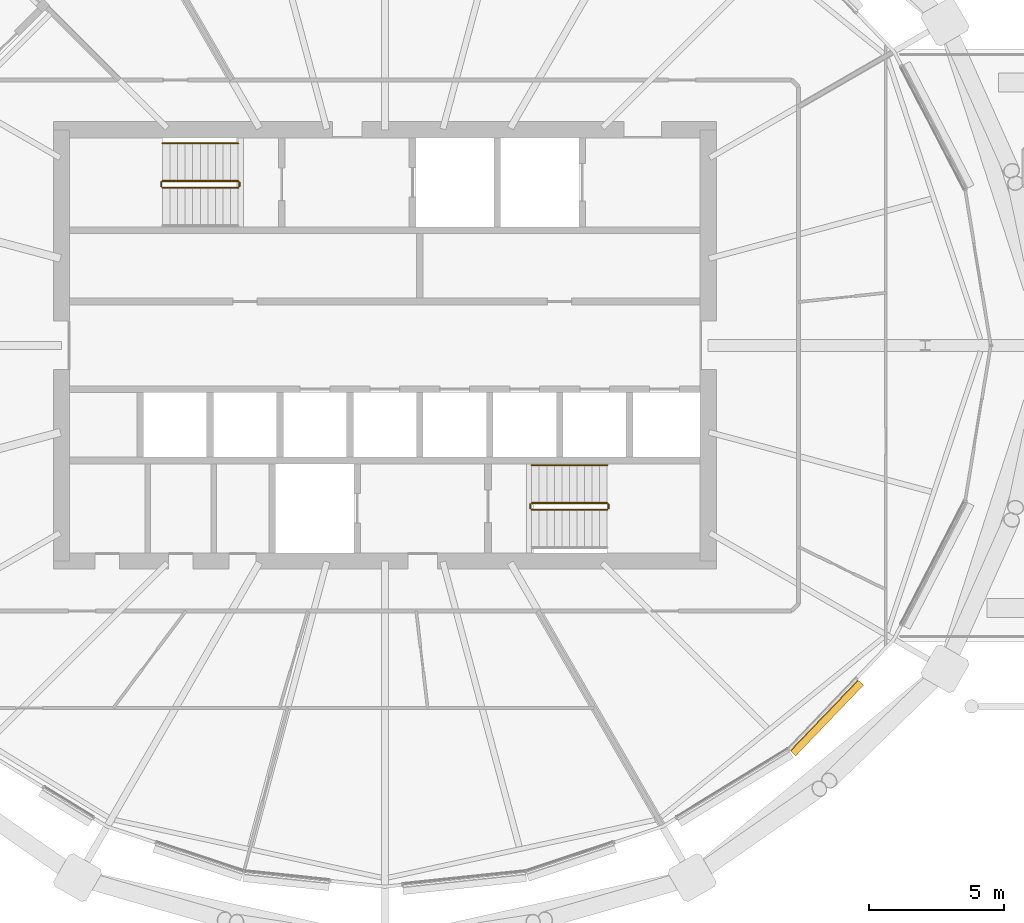
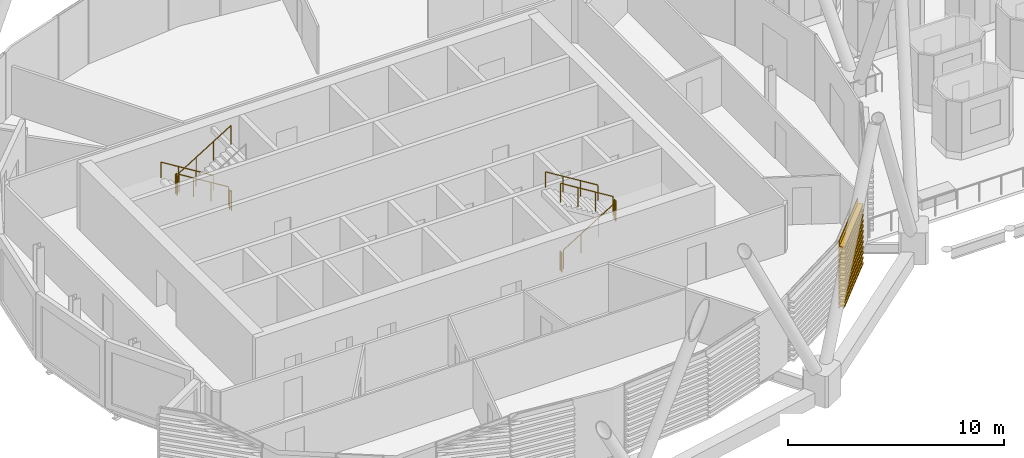
# One storey, part 33 of 38: 10 railings, 1 covering.
"""IFC4 building model written with IfcOpenShell, lengths in metres."""

from ifc_helpers import new_model, si_unit, direction, frame, origin, origin_2d, place, context, subcontext, project, spatial, polyline, circle, outline, extrude, material, material_profile, profile_set, type_object, element, save


model = new_model("IFC4")

# Units and contexts
model_context = context("Model", 3, precision=1e-05, world=origin(), true_north=direction((0.0, 1.0)))
body_context = subcontext(model_context, "Body", "Model", "MODEL_VIEW")
ifc_project = project(units=[si_unit("LENGTHUNIT", "METRE"), si_unit("AREAUNIT", "SQUARE_METRE"), si_unit("VOLUMEUNIT", "CUBIC_METRE"), si_unit("PLANEANGLEUNIT", "RADIAN"), si_unit("MASSUNIT", "GRAM", prefix="KILO")], contexts=[model_context])

# Site, building, storey
site_placement = place(None, origin())
site = spatial("IfcSite", under=ifc_project, at=site_placement, CompositionType="ELEMENT")
building_placement = place(site_placement, origin())
building = spatial("IfcBuilding", under=site, at=building_placement, Name="Rimbun Link Towers", CompositionType="ELEMENT")
storey_placement = place(building_placement, frame((0.0, 0.0, 158.89990234375)))
storey = spatial("IfcBuildingStorey", under=building, at=storey_placement, Name="L38", CompositionType="ELEMENT", Elevation=158.89990234375)

# Railings
ifc_material_1 = material(Name="Stainless steel grade 316", Category="steel")
railing_type_1 = type_object("IfcRailingType", Name="Stair guard", PredefinedType="GUARDRAIL", material=ifc_material_1)
railing_1_placement = place(storey_placement, frame((-37.199951171875, 6.10009765625, 0.1728515625)))
element("IfcRailing", 1, at=railing_1_placement, inside=storey, type_object=railing_type_1, Name="L38 ST1 stair guard 1", PredefinedType="GUARDRAIL", context=body_context, shape_type="SweptSolid", body=[
    extrude(circle(Radius=0.02392578125, at=origin_2d()), frame((0.0, 0.0, 1.076171875), z_axis=(-0.851089632645, 0.0, 0.525020415988), x_axis=(0.0, -1.0, 0.0)), (0.0, 0.0, 1.0), 3.2900390625),
    extrude(circle(Radius=0.02099609375, at=origin_2d()), origin(), (0.0, 0.0, 1.0), 1.052001953125),
    extrude(circle(Radius=0.02099609375, at=origin_2d()), frame((-0.933349609375, 0.0, 0.57568359375)), (0.0, 0.0, 1.0), 1.052001953125),
    extrude(circle(Radius=0.02099609375, at=origin_2d()), frame((-1.86669921875, 0.0, 1.151611328125)), (0.0, 0.0, 1.0), 1.052001953125),
    extrude(circle(Radius=0.02099609375, at=origin_2d()), frame((-2.800048828125, 0.0, 1.727294921875)), (0.0, 0.0, 1.0), 1.052001953125),
])
railing_2_placement = place(storey_placement, frame((-40.050048828125, 6.050048828125, 1.900146484375)))
element("IfcRailing", 2, at=railing_2_placement, inside=storey, type_object=railing_type_1, Name="L38 ST1 stair guard 2", PredefinedType="GUARDRAIL", context=body_context, shape_type="SweptSolid", body=[
    extrude(circle(Radius=0.02392578125, at=origin_2d()), frame((0.0, 0.0, 1.076171875), z_axis=(0.0, -1.0, 0.0), x_axis=(1.0, 0.0, 0.0)), (0.0, 0.0, 1.0), 0.150146484375),
    extrude(circle(Radius=0.02099609375, at=origin_2d()), origin(), (0.0, 0.0, 1.0), 1.052001953125),
    extrude(circle(Radius=0.02099609375, at=origin_2d()), frame((0.0, -0.150146484375, 0.0)), (0.0, 0.0, 1.0), 1.052001953125),
])
railing_3_placement = place(storey_placement, frame((-40.0, 5.85009765625, 2.07275390625)))
element("IfcRailing", 3, at=railing_3_placement, inside=storey, type_object=railing_type_1, Name="L38 ST1 stair guard 3", PredefinedType="GUARDRAIL", context=body_context, shape_type="SweptSolid", body=[
    extrude(circle(Radius=0.02392578125, at=origin_2d()), frame((0.0, 0.0, 1.076171875), z_axis=(0.851089632645, 0.0, 0.525020415988), x_axis=(0.0, 1.0, 0.0)), (0.0, 0.0, 1.0), 3.2900390625),
    extrude(circle(Radius=0.02099609375, at=origin_2d()), origin(), (0.0, 0.0, 1.0), 1.052001953125),
    extrude(circle(Radius=0.02099609375, at=origin_2d()), frame((0.933349609375, 0.0, 0.57568359375)), (0.0, 0.0, 1.0), 1.052001953125),
    extrude(circle(Radius=0.02099609375, at=origin_2d()), frame((1.86669921875, 0.0, 1.151611328125)), (0.0, 0.0, 1.0), 1.052001953125),
    extrude(circle(Radius=0.02099609375, at=origin_2d()), frame((2.800048828125, 0.0, 1.727294921875)), (0.0, 0.0, 1.0), 1.052001953125),
])
railing_4_placement = place(storey_placement, frame((-37.14990234375, 6.050048828125, 0.0)))
element("IfcRailing", 4, at=railing_4_placement, inside=storey, type_object=railing_type_1, Name="L38 ST1 stair guard 4", PredefinedType="GUARDRAIL", context=body_context, shape_type="SweptSolid", body=[
    extrude(circle(Radius=0.02392578125, at=origin_2d()), frame((0.0, 0.0, 1.076171875), z_axis=(0.0, -1.0, 0.0), x_axis=(1.0, 0.0, 0.0)), (0.0, 0.0, 1.0), 0.150146484375),
    extrude(circle(Radius=0.02099609375, at=origin_2d()), origin(), (0.0, 0.0, 1.0), 1.052001953125),
    extrude(circle(Radius=0.02099609375, at=origin_2d()), frame((0.0, -0.150146484375, 0.0)), (0.0, 0.0, 1.0), 1.052001953125),
])
railing_5_placement = place(storey_placement, frame((-26.300048828125, -6.10009765625, 0.1728515625)))
element("IfcRailing", 5, at=railing_5_placement, inside=storey, type_object=railing_type_1, Name="L38 ST2 stair guard 1", PredefinedType="GUARDRAIL", context=body_context, shape_type="SweptSolid", body=[
    extrude(circle(Radius=0.02392578125, at=origin_2d()), frame((0.0, 0.0, 1.076171875), z_axis=(0.851089632645, 0.0, 0.525020415988), x_axis=(0.0, 1.0, 0.0)), (0.0, 0.0, 1.0), 3.2900390625),
    extrude(circle(Radius=0.02099609375, at=origin_2d()), origin(), (0.0, 0.0, 1.0), 1.052001953125),
    extrude(circle(Radius=0.02099609375, at=origin_2d()), frame((0.933349609375, 0.0, 0.57568359375)), (0.0, 0.0, 1.0), 1.052001953125),
    extrude(circle(Radius=0.02099609375, at=origin_2d()), frame((1.86669921875, 0.0, 1.151611328125)), (0.0, 0.0, 1.0), 1.052001953125),
    extrude(circle(Radius=0.02099609375, at=origin_2d()), frame((2.800048828125, 0.0, 1.727294921875)), (0.0, 0.0, 1.0), 1.052001953125),
])
railing_6_placement = place(storey_placement, frame((-23.449951171875, -6.050048828125, 1.900146484375)))
element("IfcRailing", 6, at=railing_6_placement, inside=storey, type_object=railing_type_1, Name="L38 ST2 stair guard 2", PredefinedType="GUARDRAIL", context=body_context, shape_type="SweptSolid", body=[
    extrude(circle(Radius=0.02392578125, at=origin_2d()), frame((0.0, 0.0, 1.076171875), z_axis=(0.0, 1.0, 0.0), x_axis=(-1.0, 0.0, 0.0)), (0.0, 0.0, 1.0), 0.150146484375),
    extrude(circle(Radius=0.02099609375, at=origin_2d()), origin(), (0.0, 0.0, 1.0), 1.052001953125),
    extrude(circle(Radius=0.02099609375, at=origin_2d()), frame((0.0, 0.150146484375, 0.0)), (0.0, 0.0, 1.0), 1.052001953125),
])
railing_7_placement = place(storey_placement, frame((-23.5, -5.85009765625, 2.07275390625)))
element("IfcRailing", 7, at=railing_7_placement, inside=storey, type_object=railing_type_1, Name="L38 ST2 stair guard 3", PredefinedType="GUARDRAIL", context=body_context, shape_type="SweptSolid", body=[
    extrude(circle(Radius=0.02392578125, at=origin_2d()), frame((0.0, 0.0, 1.076171875), z_axis=(-0.851089632645, 0.0, 0.525020415988), x_axis=(0.0, -1.0, 0.0)), (0.0, 0.0, 1.0), 3.2900390625),
    extrude(circle(Radius=0.02099609375, at=origin_2d()), origin(), (0.0, 0.0, 1.0), 1.052001953125),
    extrude(circle(Radius=0.02099609375, at=origin_2d()), frame((-0.933349609375, 0.0, 0.57568359375)), (0.0, 0.0, 1.0), 1.052001953125),
    extrude(circle(Radius=0.02099609375, at=origin_2d()), frame((-1.86669921875, 0.0, 1.151611328125)), (0.0, 0.0, 1.0), 1.052001953125),
    extrude(circle(Radius=0.02099609375, at=origin_2d()), frame((-2.800048828125, 0.0, 1.727294921875)), (0.0, 0.0, 1.0), 1.052001953125),
])
railing_8_placement = place(storey_placement, frame((-26.35009765625, -6.050048828125, 0.0)))
element("IfcRailing", 8, at=railing_8_placement, inside=storey, type_object=railing_type_1, Name="L38 ST2 stair guard 4", PredefinedType="GUARDRAIL", context=body_context, shape_type="SweptSolid", body=[
    extrude(circle(Radius=0.02392578125, at=origin_2d()), frame((0.0, 0.0, 1.076171875), z_axis=(0.0, 1.0, 0.0), x_axis=(-1.0, 0.0, 0.0)), (0.0, 0.0, 1.0), 0.150146484375),
    extrude(circle(Radius=0.02099609375, at=origin_2d()), origin(), (0.0, 0.0, 1.0), 1.052001953125),
    extrude(circle(Radius=0.02099609375, at=origin_2d()), frame((0.0, 0.150146484375, 0.0)), (0.0, 0.0, 1.0), 1.052001953125),
])
ifc_material_2 = material(Name="Stainless steel grade 316", Category="steel")
railing_type_2 = type_object("IfcRailingType", Name="Stair handrail", PredefinedType="HANDRAIL", material=ifc_material_2)
for number, where, name in (
    (9, (-37.199951171875, 7.5, 0.1728515625), "L38 ST1 stair handrail 1"),
    (10, (-23.5, -4.449951171875, 2.07275390625), "L38 ST2 stair handrail 2"),
):
    element("IfcRailing", number, at=place(storey_placement, frame(where)), inside=storey, type_object=railing_type_2, Name=name, PredefinedType="HANDRAIL", context=body_context, shape_type="SweptSolid", body=[
        extrude(circle(Radius=0.02392578125, at=origin_2d()), frame((0.0, 0.0, 0.8759765625), z_axis=(-0.851089632645, 0.0, 0.525020415988), x_axis=(0.0, -1.0, 0.0)), (0.0, 0.0, 1.0), 3.2900390625),
        extrude(circle(Radius=0.02099609375, at=origin_2d()), origin(), (0.0, 0.0, 1.0), 0.851806640625),
        extrude(circle(Radius=0.02099609375, at=origin_2d()), frame((-0.933349609375, 0.0, 0.57568359375)), (0.0, 0.0, 1.0), 0.851806640625),
        extrude(circle(Radius=0.02099609375, at=origin_2d()), frame((-1.86669921875, 0.0, 1.151611328125)), (0.0, 0.0, 1.0), 0.851806640625),
        extrude(circle(Radius=0.02099609375, at=origin_2d()), frame((-2.800048828125, 0.0, 1.727294921875)), (0.0, 0.0, 1.0), 0.851806640625),
    ])

# Covering
ifc_material_3 = material(Name="Terracotta", Category="masonry")
ifc_material_profile = material_profile(ifc_material_3, outline(polyline([(0.123046875, 0.0), (0.1630859375, 0.0), (0.1630859375, 0.10009765625), (0.423095703125, 0.10009765625), (0.423095703125, 0.219970703125), (0.1630859375, 0.219970703125), (0.1630859375, 0.39990234375), (0.423095703125, 0.39990234375), (0.423095703125, 0.52001953125), (0.1630859375, 0.52001953125), (0.1630859375, 0.699951171875), (0.423095703125, 0.699951171875), (0.423095703125, 0.820068359375), (0.1630859375, 0.820068359375), (0.1630859375, 1.0), (0.423095703125, 1.0), (0.423095703125, 1.1201171875), (0.1630859375, 1.1201171875), (0.1630859375, 1.300048828125), (0.423095703125, 1.300048828125), (0.423095703125, 1.419921875), (0.1630859375, 1.419921875), (0.1630859375, 1.60009765625), (0.423095703125, 1.60009765625), (0.423095703125, 1.719970703125), (0.1630859375, 1.719970703125), (0.1630859375, 1.89990234375), (0.423095703125, 1.89990234375), (0.423095703125, 2.02001953125), (0.1630859375, 2.02001953125), (0.1630859375, 2.199951171875), (0.423095703125, 2.199951171875), (0.423095703125, 2.320068359375), (0.1630859375, 2.320068359375), (0.1630859375, 2.5), (0.423095703125, 2.5), (0.423095703125, 2.6201171875), (0.1630859375, 2.6201171875), (0.1630859375, 2.800048828125), (0.423095703125, 2.800048828125), (0.423095703125, 2.919921875), (0.1630859375, 2.919921875), (0.1630859375, 3.10009765625), (0.423095703125, 3.10009765625), (0.423095703125, 3.219970703125), (0.1630859375, 3.219970703125), (0.1630859375, 3.39990234375), (0.423095703125, 3.39990234375), (0.423095703125, 3.52001953125), (0.1630859375, 3.52001953125), (0.1630859375, 3.800048828125), (0.123046875, 3.800048828125), (0.123046875, 0.0)])), Name="BAGUETTE 120X300")
ifc_profile_set = profile_set([ifc_material_profile], Name="Terracotta")
covering_type = type_object("IfcCoveringType", Name="TERRACOTTA BAGUETTE 120X300 H3800", PredefinedType="CLADDING", material=ifc_profile_set)
covering_placement = place(storey_placement, frame((-14.2939453125, -12.321044921875, 0.0), z_axis=(-0.692060112177, -0.721839872225, 0.0), x_axis=(0.721839872225, -0.692060112177, 0.0)))
element("IfcCovering", 11, at=covering_placement, inside=storey, type_object=covering_type, Name="TERRACOTTA BAGUETTE", PredefinedType="CLADDING", context=body_context, shape_type="SweptSolid", body=[
    extrude(outline(polyline([(0.123046875, 0.0), (0.1630859375, 0.0), (0.1630859375, 0.10009765625), (0.423095703125, 0.10009765625), (0.423095703125, 0.219970703125), (0.1630859375, 0.219970703125), (0.1630859375, 0.39990234375), (0.423095703125, 0.39990234375), (0.423095703125, 0.52001953125), (0.1630859375, 0.52001953125), (0.1630859375, 0.699951171875), (0.423095703125, 0.699951171875), (0.423095703125, 0.820068359375), (0.1630859375, 0.820068359375), (0.1630859375, 1.0), (0.423095703125, 1.0), (0.423095703125, 1.1201171875), (0.1630859375, 1.1201171875), (0.1630859375, 1.300048828125), (0.423095703125, 1.300048828125), (0.423095703125, 1.419921875), (0.1630859375, 1.419921875), (0.1630859375, 1.60009765625), (0.423095703125, 1.60009765625), (0.423095703125, 1.719970703125), (0.1630859375, 1.719970703125), (0.1630859375, 1.89990234375), (0.423095703125, 1.89990234375), (0.423095703125, 2.02001953125), (0.1630859375, 2.02001953125), (0.1630859375, 2.199951171875), (0.423095703125, 2.199951171875), (0.423095703125, 2.320068359375), (0.1630859375, 2.320068359375), (0.1630859375, 2.5), (0.423095703125, 2.5), (0.423095703125, 2.6201171875), (0.1630859375, 2.6201171875), (0.1630859375, 2.800048828125), (0.423095703125, 2.800048828125), (0.423095703125, 2.919921875), (0.1630859375, 2.919921875), (0.1630859375, 3.10009765625), (0.423095703125, 3.10009765625), (0.423095703125, 3.219970703125), (0.1630859375, 3.219970703125), (0.1630859375, 3.39990234375), (0.423095703125, 3.39990234375), (0.423095703125, 3.52001953125), (0.1630859375, 3.52001953125), (0.1630859375, 3.800048828125), (0.123046875, 3.800048828125), (0.123046875, 0.0)])), origin(), (0.0, 0.0, 1.0), 3.6318359375),
])

save(model, "model.ifc")
